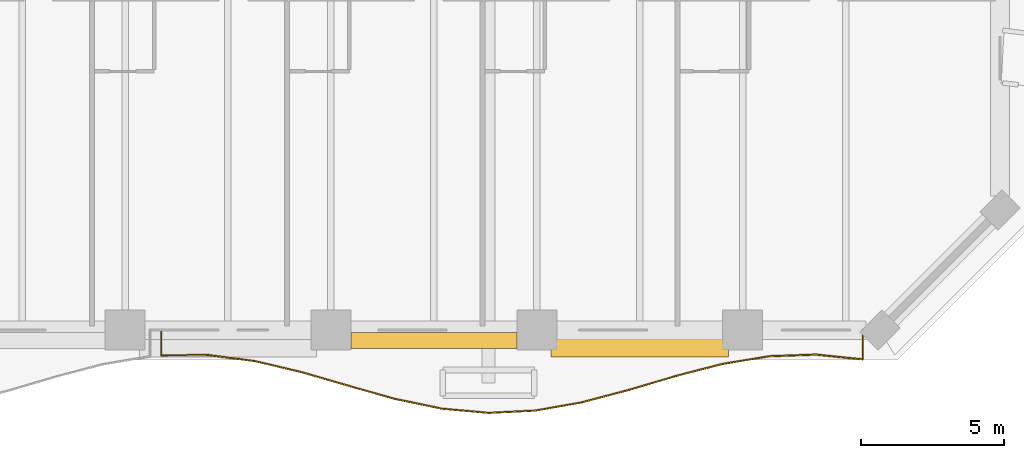
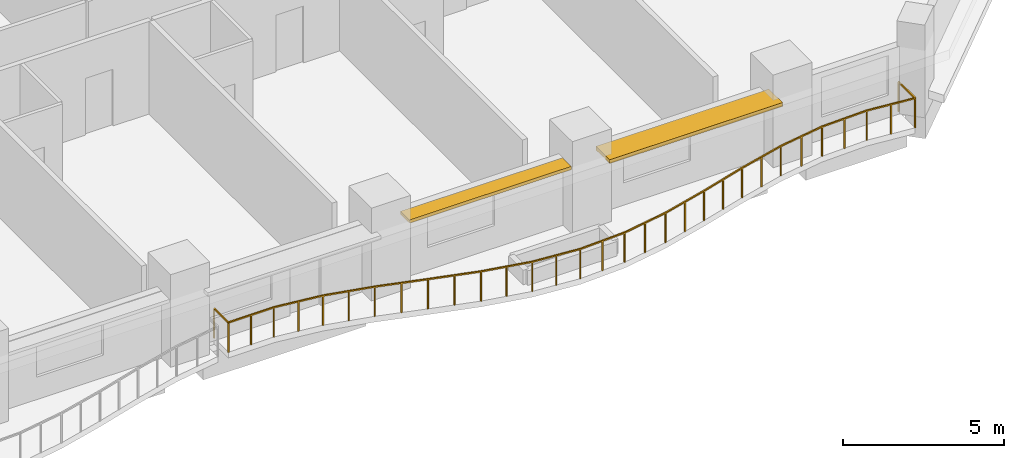
# One storey, part 14 of 15: 2 shading devices, 1 railing.
"""IFC4 building model written with IfcOpenShell, lengths in metres."""

from ifc_helpers import new_model, si_unit, direction, frame, origin, origin_2d, place, context, subcontext, project, spatial, rectangle, extrude, material, layer, layer_set, type_object, element, save


model = new_model("IFC4")

# Units and contexts
model_context = context("Model", 3, precision=1e-05, world=origin(), true_north=direction((0.0, 1.0)))
body_context = subcontext(model_context, "Body", "Model", "MODEL_VIEW")
ifc_project = project(units=[si_unit("LENGTHUNIT", "METRE"), si_unit("AREAUNIT", "SQUARE_METRE"), si_unit("VOLUMEUNIT", "CUBIC_METRE"), si_unit("PLANEANGLEUNIT", "RADIAN"), si_unit("MASSUNIT", "GRAM", prefix="KILO")], contexts=[model_context])

# Site, building, storey
site_placement = place(None, origin())
site = spatial("IfcSite", under=ifc_project, at=site_placement, CompositionType="ELEMENT")
building_placement = place(site_placement, origin())
building = spatial("IfcBuilding", under=site, at=building_placement, Name="Kaelvorn Grand Hotel", CompositionType="ELEMENT")
storey_placement = place(building_placement, frame((0.0, 0.0, 57.64990234375)))
storey = spatial("IfcBuildingStorey", under=building, at=storey_placement, Name="L12", CompositionType="ELEMENT", Elevation=57.64990234375)

# Railing
ifc_material_1 = material(Name="Stainless Steel", Category="steel")
railing_type = type_object("IfcRailingType", Name="RL-BALC-1150", PredefinedType="BALUSTRADE", material=ifc_material_1)
railing_placement = place(storey_placement, frame((54.666748046875, 0.0, 0.0)))
element("IfcRailing", 1, at=railing_placement, inside=storey, type_object=railing_type, Name="L12 Scalloped Wave Balcony Balustrade GR1-3", PredefinedType="BALUSTRADE", context=body_context, shape_type="SweptSolid", body=[
    extrude(rectangle(XDim=0.048095703125, YDim=0.048095703125, at=origin_2d()), frame((0.0, 0.0, 1.1259765625), z_axis=(0.0, -1.0, 0.0), x_axis=(1.0, 0.0, 0.0)), (0.0, 0.0, 1.0), 0.884521484375),
    extrude(rectangle(XDim=0.048095703125, YDim=0.048095703125, at=origin_2d()), frame((0.0, -0.884521484375, 1.1259765625), z_axis=(0.999978430437, 0.006568002827, 0.0), x_axis=(-0.006568002827, 0.999978430437, 0.0)), (0.0, 0.0, 1.0), 1.635498046875),
    extrude(rectangle(XDim=0.048095703125, YDim=0.048095703125, at=origin_2d()), frame((1.635498046875, -0.873779296875, 1.1259765625), z_axis=(0.991728699093, -0.128351811034, 0.0), x_axis=(0.128351811034, 0.991728699093, 0.0)), (0.0, 0.0, 1.0), 1.649169921875),
    extrude(rectangle(XDim=0.048095703125, YDim=0.048095703125, at=origin_2d()), frame((3.27099609375, -1.08544921875, 1.1259765625), z_axis=(0.973100001254, -0.230383132108, 0.0), x_axis=(0.230383132108, 0.973100001254, 0.0)), (0.0, 0.0, 1.0), 1.6806640625),
    extrude(rectangle(XDim=0.048095703125, YDim=0.048095703125, at=origin_2d()), frame((4.906494140625, -1.47265625, 1.1259765625), z_axis=(0.960083412967, -0.279713854047, 0.0), x_axis=(0.279713854047, 0.960083412967, 0.0)), (0.0, 0.0, 1.0), 1.703857421875),
    extrude(rectangle(XDim=0.048095703125, YDim=0.048095703125, at=origin_2d()), frame((6.542236328125, -1.94921875, 1.1259765625), z_axis=(0.962654451324, -0.270733092446, 0.0), x_axis=(0.270733092446, 0.962654451324, 0.0)), (0.0, 0.0, 1.0), 1.698974609375),
    extrude(rectangle(XDim=0.048095703125, YDim=0.048095703125, at=origin_2d()), frame((8.177734375, -2.4091796875, 1.1259765625), z_axis=(0.978911067954, -0.20428685968, 0.0), x_axis=(0.20428685968, 0.978911067954, 0.0)), (0.0, 0.0, 1.0), 1.670654296875),
    extrude(rectangle(XDim=0.048095703125, YDim=0.048095703125, at=origin_2d()), frame((9.813232421875, -2.75048828125, 1.1259765625), z_axis=(0.9959865086, -0.089503489801, 0.0), x_axis=(0.089503489801, 0.9959865086, 0.0)), (0.0, 0.0, 1.0), 1.64208984375),
    extrude(rectangle(XDim=0.048095703125, YDim=0.048095703125, at=origin_2d()), frame((11.44873046875, -2.8974609375, 1.1259765625), z_axis=(0.998796551064, 0.049045382881, 0.0), x_axis=(-0.049045382881, 0.998796551064, 0.0)), (0.0, 0.0, 1.0), 1.6376953125),
    extrude(rectangle(XDim=0.048095703125, YDim=0.048095703125, at=origin_2d()), frame((13.08447265625, -2.817138671875, 1.1259765625), z_axis=(0.984712445929, 0.174187826306, 0.0), x_axis=(-0.174187826306, 0.984712445929, 0.0)), (0.0, 0.0, 1.0), 1.660888671875),
    extrude(rectangle(XDim=0.048095703125, YDim=0.048095703125, at=origin_2d()), frame((14.719970703125, -2.52783203125, 1.1259765625), z_axis=(0.966464429191, 0.256800520072, 0.0), x_axis=(-0.256800520072, 0.966464429191, 0.0)), (0.0, 0.0, 1.0), 1.692138671875),
    extrude(rectangle(XDim=0.048095703125, YDim=0.048095703125, at=origin_2d()), frame((16.35546875, -2.09326171875, 1.1259765625), z_axis=(0.959066322629, 0.283181547419, 0.0), x_axis=(-0.283181547419, 0.959066322629, 0.0)), (0.0, 0.0, 1.0), 1.705322265625),
    extrude(rectangle(XDim=0.048095703125, YDim=0.048095703125, at=origin_2d()), frame((17.990966796875, -1.6103515625, 1.1259765625), z_axis=(0.967989097059, 0.250992246842, 0.0), x_axis=(-0.250992246842, 0.967989097059, 0.0)), (0.0, 0.0, 1.0), 1.689697265625),
    extrude(rectangle(XDim=0.048095703125, YDim=0.048095703125, at=origin_2d()), frame((19.62646484375, -1.186279296875, 1.1259765625), z_axis=(0.986528894242, 0.163587104702, 0.0), x_axis=(-0.163587104702, 0.986528894242, 0.0)), (0.0, 0.0, 1.0), 1.657958984375),
    extrude(rectangle(XDim=0.048095703125, YDim=0.048095703125, at=origin_2d()), frame((21.26220703125, -0.9150390625, 1.1259765625), z_axis=(0.999374770744, 0.035356295069, 0.0), x_axis=(-0.035356295069, 0.999374770744, 0.0)), (0.0, 0.0, 1.0), 1.636474609375),
    extrude(rectangle(XDim=0.048095703125, YDim=0.048095703125, at=origin_2d()), frame((22.897705078125, -0.857177734375, 1.1259765625), z_axis=(0.994767517021, -0.102164509884, 0.0), x_axis=(0.102164509884, 0.994767517021, 0.0)), (0.0, 0.0, 1.0), 1.64404296875),
    extrude(rectangle(XDim=0.048095703125, YDim=0.048095703125, at=origin_2d()), frame((24.533203125, -1.025146484375, 1.1259765625), z_axis=(0.0, 1.0, 0.0), x_axis=(-1.0, 0.0, 0.0)), (0.0, 0.0, 1.0), 1.025146484375),
    extrude(rectangle(XDim=0.0419921875, YDim=0.0419921875, at=origin_2d()), origin(), (0.0, 0.0, 1.0), 1.101806640625),
    extrude(rectangle(XDim=0.0419921875, YDim=0.0419921875, at=origin_2d()), frame((0.0, -0.884521484375, 0.0)), (0.0, 0.0, 1.0), 1.101806640625),
    extrude(rectangle(XDim=0.0419921875, YDim=0.0419921875, at=origin_2d()), frame((0.81787109375, -0.879150390625, 0.0)), (0.0, 0.0, 1.0), 1.101806640625),
    extrude(rectangle(XDim=0.0419921875, YDim=0.0419921875, at=origin_2d()), frame((1.635498046875, -0.873779296875, 0.0)), (0.0, 0.0, 1.0), 1.101806640625),
    extrude(rectangle(XDim=0.0419921875, YDim=0.0419921875, at=origin_2d()), frame((2.453125, -0.9794921875, 0.0)), (0.0, 0.0, 1.0), 1.101806640625),
    extrude(rectangle(XDim=0.0419921875, YDim=0.0419921875, at=origin_2d()), frame((3.27099609375, -1.08544921875, 0.0)), (0.0, 0.0, 1.0), 1.101806640625),
    extrude(rectangle(XDim=0.0419921875, YDim=0.0419921875, at=origin_2d()), frame((4.0888671875, -1.279052734375, 0.0)), (0.0, 0.0, 1.0), 1.101806640625),
    extrude(rectangle(XDim=0.0419921875, YDim=0.0419921875, at=origin_2d()), frame((4.906494140625, -1.47265625, 0.0)), (0.0, 0.0, 1.0), 1.101806640625),
    extrude(rectangle(XDim=0.0419921875, YDim=0.0419921875, at=origin_2d()), frame((5.724365234375, -1.7109375, 0.0)), (0.0, 0.0, 1.0), 1.101806640625),
    extrude(rectangle(XDim=0.0419921875, YDim=0.0419921875, at=origin_2d()), frame((6.542236328125, -1.94921875, 0.0)), (0.0, 0.0, 1.0), 1.101806640625),
    extrude(rectangle(XDim=0.0419921875, YDim=0.0419921875, at=origin_2d()), frame((7.35986328125, -2.17919921875, 0.0)), (0.0, 0.0, 1.0), 1.101806640625),
    extrude(rectangle(XDim=0.0419921875, YDim=0.0419921875, at=origin_2d()), frame((8.177734375, -2.4091796875, 0.0)), (0.0, 0.0, 1.0), 1.101806640625),
    extrude(rectangle(XDim=0.0419921875, YDim=0.0419921875, at=origin_2d()), frame((8.99560546875, -2.579833984375, 0.0)), (0.0, 0.0, 1.0), 1.101806640625),
    extrude(rectangle(XDim=0.0419921875, YDim=0.0419921875, at=origin_2d()), frame((9.813232421875, -2.75048828125, 0.0)), (0.0, 0.0, 1.0), 1.101806640625),
    extrude(rectangle(XDim=0.0419921875, YDim=0.0419921875, at=origin_2d()), frame((10.630859375, -2.823974609375, 0.0)), (0.0, 0.0, 1.0), 1.101806640625),
    extrude(rectangle(XDim=0.0419921875, YDim=0.0419921875, at=origin_2d()), frame((11.44873046875, -2.8974609375, 0.0)), (0.0, 0.0, 1.0), 1.101806640625),
    extrude(rectangle(XDim=0.0419921875, YDim=0.0419921875, at=origin_2d()), frame((12.2666015625, -2.857421875, 0.0)), (0.0, 0.0, 1.0), 1.101806640625),
    extrude(rectangle(XDim=0.0419921875, YDim=0.0419921875, at=origin_2d()), frame((13.08447265625, -2.817138671875, 0.0)), (0.0, 0.0, 1.0), 1.101806640625),
    extrude(rectangle(XDim=0.0419921875, YDim=0.0419921875, at=origin_2d()), frame((13.90234375, -2.67236328125, 0.0)), (0.0, 0.0, 1.0), 1.101806640625),
    extrude(rectangle(XDim=0.0419921875, YDim=0.0419921875, at=origin_2d()), frame((14.719970703125, -2.52783203125, 0.0)), (0.0, 0.0, 1.0), 1.101806640625),
    extrude(rectangle(XDim=0.0419921875, YDim=0.0419921875, at=origin_2d()), frame((15.53759765625, -2.310546875, 0.0)), (0.0, 0.0, 1.0), 1.101806640625),
    extrude(rectangle(XDim=0.0419921875, YDim=0.0419921875, at=origin_2d()), frame((16.35546875, -2.09326171875, 0.0)), (0.0, 0.0, 1.0), 1.101806640625),
    extrude(rectangle(XDim=0.0419921875, YDim=0.0419921875, at=origin_2d()), frame((17.17333984375, -1.851806640625, 0.0)), (0.0, 0.0, 1.0), 1.101806640625),
    extrude(rectangle(XDim=0.0419921875, YDim=0.0419921875, at=origin_2d()), frame((17.990966796875, -1.6103515625, 0.0)), (0.0, 0.0, 1.0), 1.101806640625),
    extrude(rectangle(XDim=0.0419921875, YDim=0.0419921875, at=origin_2d()), frame((18.80859375, -1.3984375, 0.0)), (0.0, 0.0, 1.0), 1.101806640625),
    extrude(rectangle(XDim=0.0419921875, YDim=0.0419921875, at=origin_2d()), frame((19.62646484375, -1.186279296875, 0.0)), (0.0, 0.0, 1.0), 1.101806640625),
    extrude(rectangle(XDim=0.0419921875, YDim=0.0419921875, at=origin_2d()), frame((20.4443359375, -1.05078125, 0.0)), (0.0, 0.0, 1.0), 1.101806640625),
    extrude(rectangle(XDim=0.0419921875, YDim=0.0419921875, at=origin_2d()), frame((21.26220703125, -0.9150390625, 0.0)), (0.0, 0.0, 1.0), 1.101806640625),
    extrude(rectangle(XDim=0.0419921875, YDim=0.0419921875, at=origin_2d()), frame((22.080078125, -0.88623046875, 0.0)), (0.0, 0.0, 1.0), 1.101806640625),
    extrude(rectangle(XDim=0.0419921875, YDim=0.0419921875, at=origin_2d()), frame((22.897705078125, -0.857177734375, 0.0)), (0.0, 0.0, 1.0), 1.101806640625),
    extrude(rectangle(XDim=0.0419921875, YDim=0.0419921875, at=origin_2d()), frame((23.71533203125, -0.941162109375, 0.0)), (0.0, 0.0, 1.0), 1.101806640625),
    extrude(rectangle(XDim=0.0419921875, YDim=0.0419921875, at=origin_2d()), frame((24.533203125, -1.025146484375, 0.0)), (0.0, 0.0, 1.0), 1.101806640625),
    extrude(rectangle(XDim=0.0419921875, YDim=0.0419921875, at=origin_2d()), frame((24.533203125, 0.0, 0.0)), (0.0, 0.0, 1.0), 1.101806640625),
])

# Shading devices
ifc_material_2 = material(Name="Precast concrete C45/55", Category="concrete")
ifc_layer_1 = layer(ifc_material_2, 0.1201171875)
ifc_layer_set_1 = layer_set([ifc_layer_1], Name="Precast concrete C45/55")
shading_device_type_1 = type_object("IfcShadingDeviceType", Name="SHD-SUNSHADE-550", PredefinedType="USERDEFINED", material=ifc_layer_set_1)
shading_device_1_placement = place(storey_placement, frame((64.199951171875, -0.364990234375, 2.419921875), z_axis=(0.0, 0.0, 1.0), x_axis=(1.0, 0.0, 0.0)))
element("IfcShadingDevice", 2, at=shading_device_1_placement, inside=storey, type_object=shading_device_type_1, Name="L12 Horizontal Concrete Sunshade Band SS-09", ObjectType="SUNSHADE", PredefinedType="USERDEFINED", context=body_context, shape_type="SweptSolid", body=[
    extrude(rectangle(XDim=5.800048828125, YDim=0.550048828125, at=origin_2d()), origin(), (0.0, 0.0, 1.0), 0.1201171875),
])
ifc_layer_2 = layer(ifc_material_2, 0.139892578125)
ifc_layer_set_2 = layer_set([ifc_layer_2], Name="Precast concrete C45/55")
shading_device_type_2 = type_object("IfcShadingDeviceType", Name="SHD-SUNSHADE-850", PredefinedType="USERDEFINED", material=ifc_layer_set_2)
shading_device_2_placement = place(storey_placement, frame((71.39990234375, -0.514892578125, 2.41015625), z_axis=(0.0, 0.0, 1.0), x_axis=(1.0, 0.0, 0.0)))
element("IfcShadingDevice", 3, at=shading_device_2_placement, inside=storey, type_object=shading_device_type_2, Name="L12 Horizontal Concrete Sunshade Band SS-10", ObjectType="SUNSHADE", PredefinedType="USERDEFINED", context=body_context, shape_type="SweptSolid", body=[
    extrude(rectangle(XDim=6.199951171875, YDim=0.85009765625, at=origin_2d()), origin(), (0.0, 0.0, 1.0), 0.139892578125),
])

save(model, "model.ifc")
